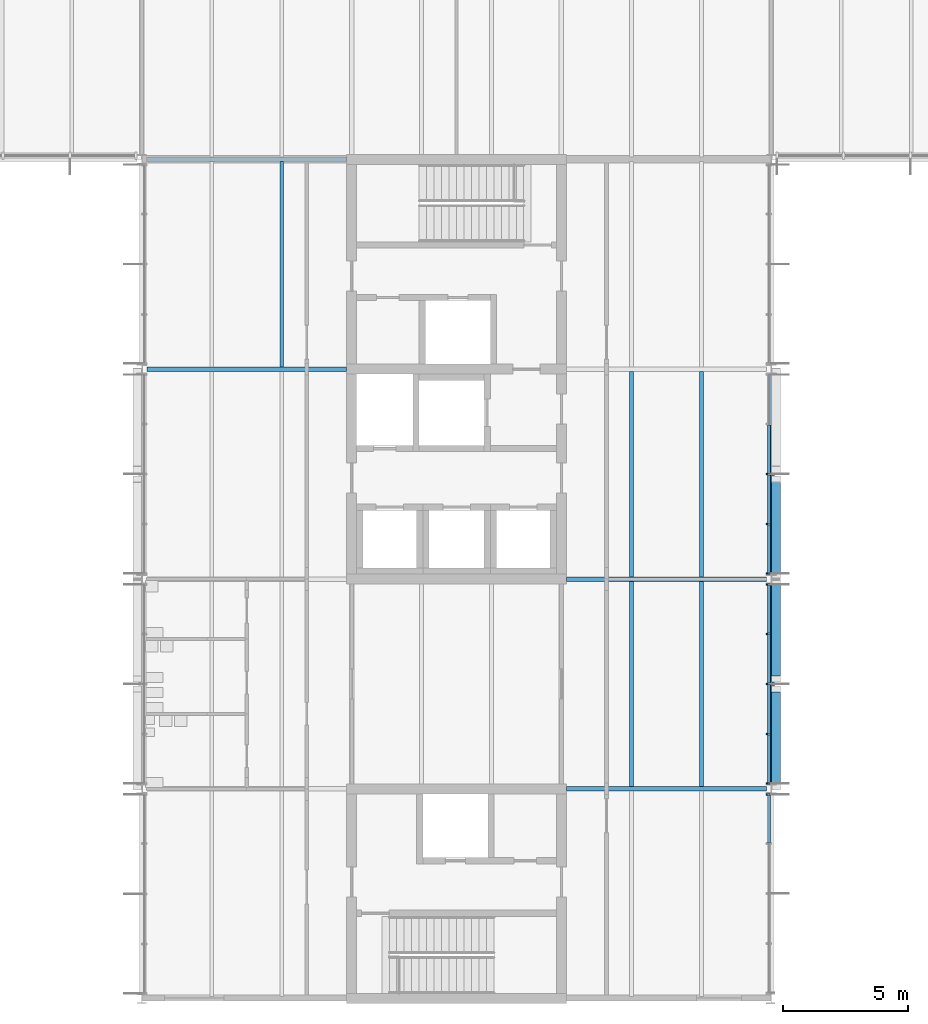
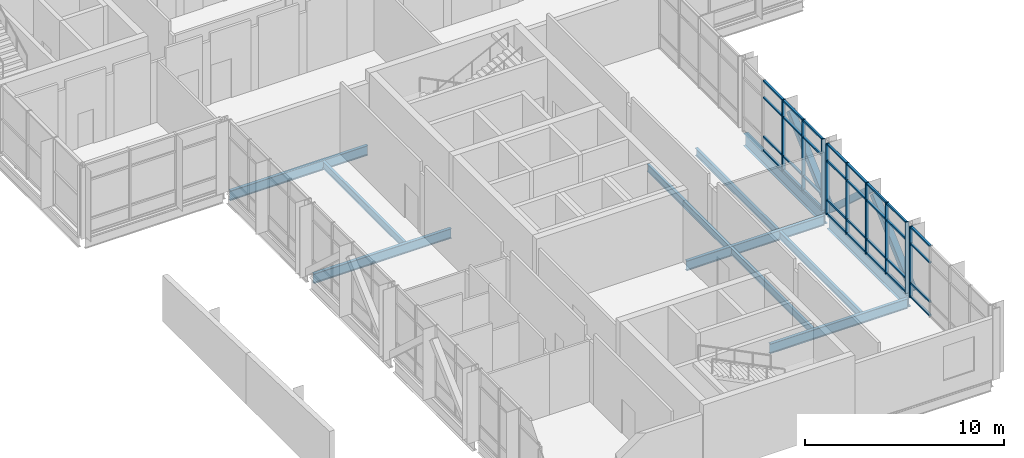
# One storey, part 22 of 72: 44 members, 11 beams, 3 elements without a shape of their own.
"""IFC4 building model written with IfcOpenShell, lengths in metres."""

from ifc_helpers import new_model, si_unit, direction, frame, origin, origin_2d, place, context, subcontext, project, spatial, rectangle, hollow_rectangle, i_section, extrude, material, material_profile, profile_set, type_object, element, aggregate, save


model = new_model("IFC4")

# Units and contexts
model_context = context("Model", 3, precision=1e-05, world=origin(), true_north=direction((0.0, 1.0)))
body_context = subcontext(model_context, "Body", "Model", "MODEL_VIEW")
ifc_project = project(units=[si_unit("LENGTHUNIT", "METRE"), si_unit("AREAUNIT", "SQUARE_METRE"), si_unit("VOLUMEUNIT", "CUBIC_METRE"), si_unit("PLANEANGLEUNIT", "RADIAN"), si_unit("MASSUNIT", "GRAM", prefix="KILO")], contexts=[model_context])

# Site, building, storey
site_placement = place(None, origin())
site = spatial("IfcSite", under=ifc_project, at=site_placement, CompositionType="ELEMENT")
building_placement = place(site_placement, origin())
building = spatial("IfcBuilding", under=site, at=building_placement, Name="Hlaing Beacon Police Headquarters", CompositionType="ELEMENT")
storey_placement = place(building_placement, frame((0.0, 0.0, 14.39990234375)))
storey = spatial("IfcBuildingStorey", under=building, at=storey_placement, Name="L03", CompositionType="ELEMENT", Elevation=14.39990234375)

# Members
ifc_material_1 = material(Name="Steel ASTM A500 Grade C", Category="steel")
ifc_material_profile_1 = material_profile(ifc_material_1, hollow_rectangle(XDim=0.355712890625, YDim=0.355712890625, WallThickness=0.015869140625, at=origin_2d()), Name="HSS14x14x5/8")
ifc_profile_set_1 = profile_set([ifc_material_profile_1], Name="Steel ASTM A500 Grade C")
member_type_1 = type_object("IfcMemberType", Name="Chevron brace HSS14x14x5/8", PredefinedType="BRACE", material=ifc_profile_set_1)
for number, where, z_axis, x_axis, name in (
    (1, (126.181884765625, 42.075927734375, 0.131103515625), (0.0, 0.738196081361, 0.674586203137), (-1.0, 0.0, 0.0), "STR-BR-L03-R6a"),
    (2, (126.181884765625, 50.323974609375, 0.131103515625), (0.0, -0.738196081361, 0.674586203137), (1.0, 0.0, 0.0), "STR-BR-L03-R6b"),
    (3, (126.181884765625, 50.47607421875, 0.131103515625), (0.0, 0.738175180134, 0.674609074527), (-1.0, 0.0, 0.0), "STR-BR-L03-R7a"),
):
    element("IfcMember", number, at=place(storey_placement, frame(where, z_axis=z_axis, x_axis=x_axis)), inside=storey, type_object=member_type_1, Name=name, PredefinedType="BRACE", context=body_context, shape_type="SweptSolid", body=[
        extrude(hollow_rectangle(XDim=0.355712890625, YDim=0.355712890625, WallThickness=0.015869140625, at=origin_2d()), origin(), (0.0, 0.0, 1.0), 5.315673828125),
    ])

# Beams
ifc_material_2 = material(Name="Steel ASTM A992 Grade 50", Category="steel")
ifc_material_profile_2 = material_profile(ifc_material_2, i_section(OverallWidth=0.177978515625, OverallDepth=0.599365234375, WebThickness=0.010009765625, FlangeThickness=0.012939453125, FilletRadius=0.012939453125, at=origin_2d()), Name="W24x55")
ifc_profile_set_2 = profile_set([ifc_material_profile_2], Name="Steel ASTM A992 Grade 50")
beam_type_1 = type_object("IfcBeamType", Name="Girder W24x55", PredefinedType="BEAM", material=ifc_profile_set_2)
for number, where, z_axis, x_axis, name in (
    (4, (117.800048828125, 42.0, -0.4296875), (1.0, 0.0, 0.0), (0.0, 1.0, 0.0), "STR-BM-L03-GX-Q6-R6"),
    (5, (117.800048828125, 50.39990234375, -0.4296875), (1.0, 0.0, 0.0), (0.0, 1.0, 0.0), "STR-BM-L03-GX-Q7-R7"),
    (6, (100.9990234375, 58.800048828125, -0.4296875), (1.0, 0.0, 0.0), (0.0, 1.0, 0.0), "STR-BM-L03-GX-N8-P8"),
):
    element("IfcBeam", number, at=place(storey_placement, frame(where, z_axis=z_axis, x_axis=x_axis)), inside=storey, type_object=beam_type_1, Name=name, PredefinedType="BEAM", context=body_context, shape_type="SweptSolid", body=[
        extrude(i_section(OverallWidth=0.177978515625, OverallDepth=0.599365234375, WebThickness=0.010009765625, FlangeThickness=0.012939453125, FilletRadius=0.012939453125, at=origin_2d()), origin(), (0.0, 0.0, 1.0), 8.0009765625),
    ])
beam_1_placement = place(storey_placement, frame((100.9970703125, 67.199951171875, -0.4296875), z_axis=(1.0, 0.0, 0.0), x_axis=(0.0, 1.0, 0.0)))
element("IfcBeam", 7, at=beam_1_placement, inside=storey, type_object=beam_type_1, Name="STR-BM-L03-GX-N9-P9", PredefinedType="BEAM", context=body_context, shape_type="SweptSolid", body=[
    extrude(i_section(OverallWidth=0.177978515625, OverallDepth=0.599365234375, WebThickness=0.010009765625, FlangeThickness=0.012939453125, FilletRadius=0.012939453125, at=origin_2d()), origin(), (0.0, 0.0, 1.0), 8.0029296875),
])
ifc_material_3 = material(Name="Steel ASTM A992 Grade 50", Category="steel")
ifc_material_profile_3 = material_profile(ifc_material_3, i_section(OverallWidth=0.2666015625, OverallDepth=0.761962890625, WebThickness=0.014404296875, FlangeThickness=0.021484375, FilletRadius=0.0166015625, at=origin_2d()), Name="W30x116")
ifc_profile_set_3 = profile_set([ifc_material_profile_3], Name="Steel ASTM A992 Grade 50")
beam_type_2 = type_object("IfcBeamType", Name="Girder W30x116", PredefinedType="BEAM", material=ifc_profile_set_3)
for number, where, z_axis, x_axis, name in (
    (8, (126.0, 42.193115234375, -0.510986328125), (0.0, 1.0, 0.0), (-1.0, 0.0, 0.0), "STR-BM-L03-GY-R6-R7"),
    (9, (126.0, 50.593017578125, -0.510986328125), (0.0, 1.0, 0.0), (-1.0, 0.0, 0.0), "STR-BM-L03-GY-R7-R8"),
):
    element("IfcBeam", number, at=place(storey_placement, frame(where, z_axis=z_axis, x_axis=x_axis)), inside=storey, type_object=beam_type_2, Name=name, PredefinedType="BEAM", context=body_context, shape_type="SweptSolid", body=[
        extrude(i_section(OverallWidth=0.2666015625, OverallDepth=0.761962890625, WebThickness=0.014404296875, FlangeThickness=0.021484375, FilletRadius=0.0166015625, at=origin_2d()), origin(), (0.0, 0.0, 1.0), 8.013916015625),
    ])

# Curtain wall, member
ifc_material_4 = material(Name="Aluminium frame with solar control glazing", Category="aluminium")
curtain_wall_type_1 = type_object("IfcCurtainWallType", Name="Unitised curtain wall 8.00 x 4.37", PredefinedType="NOTDEFINED", material=ifc_material_4)
curtain_wall_1_placement = place(storey_placement, origin())
curtain_wall_1 = element("IfcCurtainWall", 10, at=curtain_wall_1_placement, inside=storey, type_object=curtain_wall_type_1, Name="ENV-CW-L03-E021", PredefinedType="NOTDEFINED")
ifc_material_5 = material(Name="Aluminium", Category="aluminium")
ifc_material_profile_4 = material_profile(ifc_material_5, rectangle(XDim=0.199951171875, YDim=0.06005859375, at=origin_2d()), Name="Mullion 60x200")
ifc_profile_set_4 = profile_set([ifc_material_profile_4], Name="Aluminium")
member_type_2 = type_object("IfcMemberType", Name="Mullion 60x200", PredefinedType="MULLION", material=ifc_profile_set_4)
member_1_placement = place(storey_placement, frame((125.89990234375, 41.779541015625, 0.0), z_axis=(0.0, 0.0, 1.0), x_axis=(-1.0, 0.0, 0.0)))
member_1 = element("IfcMember", 11, at=member_1_placement, type_object=member_type_2, Name="CW-L03-E021 mullion 5", PredefinedType="MULLION", context=body_context, shape_type="SweptSolid", body=[
    extrude(rectangle(XDim=0.199951171875, YDim=0.06005859375, at=origin_2d()), origin(), (0.0, 0.0, 1.0), 4.3701171875),
])

# Curtain wall, members
ifc_material_6 = material(Name="Aluminium frame with solar control glazing", Category="aluminium")
curtain_wall_type_2 = type_object("IfcCurtainWallType", Name="Unitised curtain wall 8.02 x 4.37", PredefinedType="NOTDEFINED", material=ifc_material_6)
curtain_wall_2_placement = place(storey_placement, origin())
curtain_wall_2 = element("IfcCurtainWall", 12, at=curtain_wall_2_placement, inside=storey, type_object=curtain_wall_type_2, Name="ENV-CW-L03-E022", PredefinedType="NOTDEFINED")
member_2_placement = place(storey_placement, frame((125.89990234375, 42.220458984375, 0.0), z_axis=(0.0, 0.0, 1.0), x_axis=(-1.0, 0.0, 0.0)))
member_2 = element("IfcMember", 13, at=member_2_placement, type_object=member_type_2, Name="CW-L03-E022 mullion 1", PredefinedType="MULLION", context=body_context, shape_type="SweptSolid", body=[
    extrude(rectangle(XDim=0.199951171875, YDim=0.06005859375, at=origin_2d()), origin(), (0.0, 0.0, 1.0), 4.3701171875),
])
member_3_placement = place(storey_placement, frame((125.89990234375, 44.1953125, 0.0), z_axis=(0.0, 0.0, 1.0), x_axis=(-1.0, 0.0, 0.0)))
member_3 = element("IfcMember", 14, at=member_3_placement, type_object=member_type_2, Name="CW-L03-E022 mullion 2", PredefinedType="MULLION", context=body_context, shape_type="SweptSolid", body=[
    extrude(rectangle(XDim=0.199951171875, YDim=0.06005859375, at=origin_2d()), origin(), (0.0, 0.0, 1.0), 4.3701171875),
])
member_4_placement = place(storey_placement, frame((125.89990234375, 46.199951171875, 0.0), z_axis=(0.0, 0.0, 1.0), x_axis=(-1.0, 0.0, 0.0)))
member_4 = element("IfcMember", 15, at=member_4_placement, type_object=member_type_2, Name="CW-L03-E022 mullion 3", PredefinedType="MULLION", context=body_context, shape_type="SweptSolid", body=[
    extrude(rectangle(XDim=0.199951171875, YDim=0.06005859375, at=origin_2d()), origin(), (0.0, 0.0, 1.0), 4.3701171875),
])
member_5_placement = place(storey_placement, frame((125.89990234375, 48.204833984375, 0.0), z_axis=(0.0, 0.0, 1.0), x_axis=(-1.0, 0.0, 0.0)))
member_5 = element("IfcMember", 16, at=member_5_placement, type_object=member_type_2, Name="CW-L03-E022 mullion 4", PredefinedType="MULLION", context=body_context, shape_type="SweptSolid", body=[
    extrude(rectangle(XDim=0.199951171875, YDim=0.06005859375, at=origin_2d()), origin(), (0.0, 0.0, 1.0), 4.3701171875),
])
member_6_placement = place(storey_placement, frame((125.89990234375, 50.179443359375, 0.0), z_axis=(0.0, 0.0, 1.0), x_axis=(-1.0, 0.0, 0.0)))
member_6 = element("IfcMember", 17, at=member_6_placement, type_object=member_type_2, Name="CW-L03-E022 mullion 5", PredefinedType="MULLION", context=body_context, shape_type="SweptSolid", body=[
    extrude(rectangle(XDim=0.199951171875, YDim=0.06005859375, at=origin_2d()), origin(), (0.0, 0.0, 1.0), 4.3701171875),
])

curtain_wall_3_placement = place(storey_placement, origin())
curtain_wall_3 = element("IfcCurtainWall", 18, at=curtain_wall_3_placement, inside=storey, type_object=curtain_wall_type_2, Name="ENV-CW-L03-E023", PredefinedType="NOTDEFINED")
member_7_placement = place(storey_placement, frame((125.89990234375, 50.62060546875, 0.0), z_axis=(0.0, 0.0, 1.0), x_axis=(-1.0, 0.0, 0.0)))
member_7 = element("IfcMember", 19, at=member_7_placement, type_object=member_type_2, Name="CW-L03-E023 mullion 1", PredefinedType="MULLION", context=body_context, shape_type="SweptSolid", body=[
    extrude(rectangle(XDim=0.199951171875, YDim=0.06005859375, at=origin_2d()), origin(), (0.0, 0.0, 1.0), 4.3701171875),
])
member_8_placement = place(storey_placement, frame((125.89990234375, 52.59521484375, 0.0), z_axis=(0.0, 0.0, 1.0), x_axis=(-1.0, 0.0, 0.0)))
member_8 = element("IfcMember", 20, at=member_8_placement, type_object=member_type_2, Name="CW-L03-E023 mullion 2", PredefinedType="MULLION", context=body_context, shape_type="SweptSolid", body=[
    extrude(rectangle(XDim=0.199951171875, YDim=0.06005859375, at=origin_2d()), origin(), (0.0, 0.0, 1.0), 4.3701171875),
])
member_9_placement = place(storey_placement, frame((125.89990234375, 54.60009765625, 0.0), z_axis=(0.0, 0.0, 1.0), x_axis=(-1.0, 0.0, 0.0)))
member_9 = element("IfcMember", 21, at=member_9_placement, type_object=member_type_2, Name="CW-L03-E023 mullion 3", PredefinedType="MULLION", context=body_context, shape_type="SweptSolid", body=[
    extrude(rectangle(XDim=0.199951171875, YDim=0.06005859375, at=origin_2d()), origin(), (0.0, 0.0, 1.0), 4.3701171875),
])

# Beams
ifc_material_7 = material(Name="Steel ASTM A992 Grade 50", Category="steel")
ifc_material_profile_5 = material_profile(ifc_material_7, i_section(OverallWidth=0.15234375, OverallDepth=0.449462890625, WebThickness=0.007568359375, FlangeThickness=0.0107421875, FilletRadius=0.01025390625, at=origin_2d()), Name="W18x35")
ifc_profile_set_5 = profile_set([ifc_material_profile_5], Name="Steel ASTM A992 Grade 50")
beam_type_3 = type_object("IfcBeamType", Name="Secondary beam W18x35", PredefinedType="BEAM", material=ifc_profile_set_5)
beam_2_placement = place(storey_placement, frame((106.39990234375, 58.888916015625, -0.354736328125), z_axis=(0.0, 1.0, 0.0), x_axis=(-1.0, 0.0, 0.0)))
element("IfcBeam", 22, at=beam_2_placement, inside=storey, type_object=beam_type_3, Name="STR-BM-L03-SB-N8-y2", PredefinedType="BEAM", context=body_context, shape_type="SweptSolid", body=[
    extrude(i_section(OverallWidth=0.15234375, OverallDepth=0.449462890625, WebThickness=0.007568359375, FlangeThickness=0.0107421875, FilletRadius=0.01025390625, at=origin_2d()), origin(), (0.0, 0.0, 1.0), 8.22216796875),
])
for number, where, z_axis, x_axis, name in (
    (23, (120.39990234375, 42.089111328125, -0.354736328125), (0.0, 1.0, 0.0), (-1.0, 0.0, 0.0), "STR-BM-L03-SB-Q6-y1"),
    (24, (123.199951171875, 42.089111328125, -0.354736328125), (0.0, 1.0, 0.0), (-1.0, 0.0, 0.0), "STR-BM-L03-SB-Q6-y2"),
    (25, (120.39990234375, 50.489013671875, -0.354736328125), (0.0, 1.0, 0.0), (-1.0, 0.0, 0.0), "STR-BM-L03-SB-Q7-y1"),
    (26, (123.199951171875, 50.489013671875, -0.354736328125), (0.0, 1.0, 0.0), (-1.0, 0.0, 0.0), "STR-BM-L03-SB-Q7-y2"),
):
    element("IfcBeam", number, at=place(storey_placement, frame(where, z_axis=z_axis, x_axis=x_axis)), inside=storey, type_object=beam_type_3, Name=name, PredefinedType="BEAM", context=body_context, shape_type="SweptSolid", body=[
        extrude(i_section(OverallWidth=0.15234375, OverallDepth=0.449462890625, WebThickness=0.007568359375, FlangeThickness=0.0107421875, FilletRadius=0.01025390625, at=origin_2d()), origin(), (0.0, 0.0, 1.0), 8.221923828125),
    ])

# Member
ifc_material_8 = material(Name="Aluminium", Category="aluminium")
ifc_material_profile_6 = material_profile(ifc_material_8, rectangle(XDim=0.1201171875, YDim=0.10009765625, at=origin_2d()), Name="Transom 120x100")
ifc_profile_set_6 = profile_set([ifc_material_profile_6], Name="Aluminium")
member_type_3 = type_object("IfcMemberType", Name="Transom 120x100", PredefinedType="USERDEFINED", material=ifc_profile_set_6)
member_10_placement = place(storey_placement, frame((125.89990234375, 39.839111328125, 0.050048828125), z_axis=(0.0, 1.0, 0.0), x_axis=(-1.0, 0.0, 0.0)))
member_10 = element("IfcMember", 27, at=member_10_placement, type_object=member_type_3, Name="CW-L03-E021 transom 4.1", ObjectType="TRANSOM", PredefinedType="USERDEFINED", context=body_context, shape_type="SweptSolid", body=[
    extrude(rectangle(XDim=0.1201171875, YDim=0.10009765625, at=origin_2d()), origin(), (0.0, 0.0, 1.0), 1.910400390625),
])

member_11_placement = place(storey_placement, frame((125.89990234375, 39.839111328125, 0.900146484375), z_axis=(0.0, 1.0, 0.0), x_axis=(-1.0, 0.0, 0.0)))
member_11 = element("IfcMember", 28, at=member_11_placement, type_object=member_type_3, Name="CW-L03-E021 transom 4.2", ObjectType="TRANSOM", PredefinedType="USERDEFINED", context=body_context, shape_type="SweptSolid", body=[
    extrude(rectangle(XDim=0.1201171875, YDim=0.10009765625, at=origin_2d()), origin(), (0.0, 0.0, 1.0), 1.910400390625),
])

member_12_placement = place(storey_placement, frame((125.89990234375, 39.839111328125, 3.300048828125), z_axis=(0.0, 1.0, 0.0), x_axis=(-1.0, 0.0, 0.0)))
member_12 = element("IfcMember", 29, at=member_12_placement, type_object=member_type_3, Name="CW-L03-E021 transom 4.3", ObjectType="TRANSOM", PredefinedType="USERDEFINED", context=body_context, shape_type="SweptSolid", body=[
    extrude(rectangle(XDim=0.1201171875, YDim=0.10009765625, at=origin_2d()), origin(), (0.0, 0.0, 1.0), 1.910400390625),
])

member_13_placement = place(storey_placement, frame((125.89990234375, 39.839111328125, 4.320068359375), z_axis=(0.0, 1.0, 0.0), x_axis=(-1.0, 0.0, 0.0)))
member_13 = element("IfcMember", 30, at=member_13_placement, type_object=member_type_3, Name="CW-L03-E021 transom 4.4", ObjectType="TRANSOM", PredefinedType="USERDEFINED", context=body_context, shape_type="SweptSolid", body=[
    extrude(rectangle(XDim=0.1201171875, YDim=0.10009765625, at=origin_2d()), origin(), (0.0, 0.0, 1.0), 1.910400390625),
])

aggregate(curtain_wall_1, [member_1, member_10, member_11, member_12, member_13])

member_14_placement = place(storey_placement, frame((125.89990234375, 42.25048828125, 0.050048828125), z_axis=(0.0, 1.0, 0.0), x_axis=(-1.0, 0.0, 0.0)))
member_14 = element("IfcMember", 31, at=member_14_placement, type_object=member_type_3, Name="CW-L03-E022 transom 1.1", ObjectType="TRANSOM", PredefinedType="USERDEFINED", context=body_context, shape_type="SweptSolid", body=[
    extrude(rectangle(XDim=0.1201171875, YDim=0.10009765625, at=origin_2d()), origin(), (0.0, 0.0, 1.0), 1.914794921875),
])

member_15_placement = place(storey_placement, frame((125.89990234375, 42.25048828125, 0.900146484375), z_axis=(0.0, 1.0, 0.0), x_axis=(-1.0, 0.0, 0.0)))
member_15 = element("IfcMember", 32, at=member_15_placement, type_object=member_type_3, Name="CW-L03-E022 transom 1.2", ObjectType="TRANSOM", PredefinedType="USERDEFINED", context=body_context, shape_type="SweptSolid", body=[
    extrude(rectangle(XDim=0.1201171875, YDim=0.10009765625, at=origin_2d()), origin(), (0.0, 0.0, 1.0), 1.914794921875),
])

member_16_placement = place(storey_placement, frame((125.89990234375, 42.25048828125, 3.300048828125), z_axis=(0.0, 1.0, 0.0), x_axis=(-1.0, 0.0, 0.0)))
member_16 = element("IfcMember", 33, at=member_16_placement, type_object=member_type_3, Name="CW-L03-E022 transom 1.3", ObjectType="TRANSOM", PredefinedType="USERDEFINED", context=body_context, shape_type="SweptSolid", body=[
    extrude(rectangle(XDim=0.1201171875, YDim=0.10009765625, at=origin_2d()), origin(), (0.0, 0.0, 1.0), 1.914794921875),
])

member_17_placement = place(storey_placement, frame((125.89990234375, 42.25048828125, 4.320068359375), z_axis=(0.0, 1.0, 0.0), x_axis=(-1.0, 0.0, 0.0)))
member_17 = element("IfcMember", 34, at=member_17_placement, type_object=member_type_3, Name="CW-L03-E022 transom 1.4", ObjectType="TRANSOM", PredefinedType="USERDEFINED", context=body_context, shape_type="SweptSolid", body=[
    extrude(rectangle(XDim=0.1201171875, YDim=0.10009765625, at=origin_2d()), origin(), (0.0, 0.0, 1.0), 1.914794921875),
])

member_18_placement = place(storey_placement, frame((125.89990234375, 44.225341796875, 0.050048828125), z_axis=(0.0, 1.0, 0.0), x_axis=(-1.0, 0.0, 0.0)))
member_18 = element("IfcMember", 35, at=member_18_placement, type_object=member_type_3, Name="CW-L03-E022 transom 2.1", ObjectType="TRANSOM", PredefinedType="USERDEFINED", context=body_context, shape_type="SweptSolid", body=[
    extrude(rectangle(XDim=0.1201171875, YDim=0.10009765625, at=origin_2d()), origin(), (0.0, 0.0, 1.0), 1.944580078125),
])

member_19_placement = place(storey_placement, frame((125.89990234375, 44.225341796875, 0.900146484375), z_axis=(0.0, 1.0, 0.0), x_axis=(-1.0, 0.0, 0.0)))
member_19 = element("IfcMember", 36, at=member_19_placement, type_object=member_type_3, Name="CW-L03-E022 transom 2.2", ObjectType="TRANSOM", PredefinedType="USERDEFINED", context=body_context, shape_type="SweptSolid", body=[
    extrude(rectangle(XDim=0.1201171875, YDim=0.10009765625, at=origin_2d()), origin(), (0.0, 0.0, 1.0), 1.944580078125),
])

member_20_placement = place(storey_placement, frame((125.89990234375, 44.225341796875, 3.300048828125), z_axis=(0.0, 1.0, 0.0), x_axis=(-1.0, 0.0, 0.0)))
member_20 = element("IfcMember", 37, at=member_20_placement, type_object=member_type_3, Name="CW-L03-E022 transom 2.3", ObjectType="TRANSOM", PredefinedType="USERDEFINED", context=body_context, shape_type="SweptSolid", body=[
    extrude(rectangle(XDim=0.1201171875, YDim=0.10009765625, at=origin_2d()), origin(), (0.0, 0.0, 1.0), 1.944580078125),
])

member_21_placement = place(storey_placement, frame((125.89990234375, 44.225341796875, 4.320068359375), z_axis=(0.0, 1.0, 0.0), x_axis=(-1.0, 0.0, 0.0)))
member_21 = element("IfcMember", 38, at=member_21_placement, type_object=member_type_3, Name="CW-L03-E022 transom 2.4", ObjectType="TRANSOM", PredefinedType="USERDEFINED", context=body_context, shape_type="SweptSolid", body=[
    extrude(rectangle(XDim=0.1201171875, YDim=0.10009765625, at=origin_2d()), origin(), (0.0, 0.0, 1.0), 1.944580078125),
])

member_22_placement = place(storey_placement, frame((125.89990234375, 46.22998046875, 0.050048828125), z_axis=(0.0, 1.0, 0.0), x_axis=(-1.0, 0.0, 0.0)))
member_22 = element("IfcMember", 39, at=member_22_placement, type_object=member_type_3, Name="CW-L03-E022 transom 3.1", ObjectType="TRANSOM", PredefinedType="USERDEFINED", context=body_context, shape_type="SweptSolid", body=[
    extrude(rectangle(XDim=0.1201171875, YDim=0.10009765625, at=origin_2d()), origin(), (0.0, 0.0, 1.0), 1.94482421875),
])

member_23_placement = place(storey_placement, frame((125.89990234375, 46.22998046875, 0.900146484375), z_axis=(0.0, 1.0, 0.0), x_axis=(-1.0, 0.0, 0.0)))
member_23 = element("IfcMember", 40, at=member_23_placement, type_object=member_type_3, Name="CW-L03-E022 transom 3.2", ObjectType="TRANSOM", PredefinedType="USERDEFINED", context=body_context, shape_type="SweptSolid", body=[
    extrude(rectangle(XDim=0.1201171875, YDim=0.10009765625, at=origin_2d()), origin(), (0.0, 0.0, 1.0), 1.94482421875),
])

member_24_placement = place(storey_placement, frame((125.89990234375, 46.22998046875, 3.300048828125), z_axis=(0.0, 1.0, 0.0), x_axis=(-1.0, 0.0, 0.0)))
member_24 = element("IfcMember", 41, at=member_24_placement, type_object=member_type_3, Name="CW-L03-E022 transom 3.3", ObjectType="TRANSOM", PredefinedType="USERDEFINED", context=body_context, shape_type="SweptSolid", body=[
    extrude(rectangle(XDim=0.1201171875, YDim=0.10009765625, at=origin_2d()), origin(), (0.0, 0.0, 1.0), 1.94482421875),
])

member_25_placement = place(storey_placement, frame((125.89990234375, 46.22998046875, 4.320068359375), z_axis=(0.0, 1.0, 0.0), x_axis=(-1.0, 0.0, 0.0)))
member_25 = element("IfcMember", 42, at=member_25_placement, type_object=member_type_3, Name="CW-L03-E022 transom 3.4", ObjectType="TRANSOM", PredefinedType="USERDEFINED", context=body_context, shape_type="SweptSolid", body=[
    extrude(rectangle(XDim=0.1201171875, YDim=0.10009765625, at=origin_2d()), origin(), (0.0, 0.0, 1.0), 1.94482421875),
])

member_26_placement = place(storey_placement, frame((125.89990234375, 48.23486328125, 0.050048828125), z_axis=(0.0, 1.0, 0.0), x_axis=(-1.0, 0.0, 0.0)))
member_26 = element("IfcMember", 43, at=member_26_placement, type_object=member_type_3, Name="CW-L03-E022 transom 4.1", ObjectType="TRANSOM", PredefinedType="USERDEFINED", context=body_context, shape_type="SweptSolid", body=[
    extrude(rectangle(XDim=0.1201171875, YDim=0.10009765625, at=origin_2d()), origin(), (0.0, 0.0, 1.0), 1.91455078125),
])

member_27_placement = place(storey_placement, frame((125.89990234375, 48.23486328125, 0.900146484375), z_axis=(0.0, 1.0, 0.0), x_axis=(-1.0, 0.0, 0.0)))
member_27 = element("IfcMember", 44, at=member_27_placement, type_object=member_type_3, Name="CW-L03-E022 transom 4.2", ObjectType="TRANSOM", PredefinedType="USERDEFINED", context=body_context, shape_type="SweptSolid", body=[
    extrude(rectangle(XDim=0.1201171875, YDim=0.10009765625, at=origin_2d()), origin(), (0.0, 0.0, 1.0), 1.91455078125),
])

member_28_placement = place(storey_placement, frame((125.89990234375, 48.23486328125, 3.300048828125), z_axis=(0.0, 1.0, 0.0), x_axis=(-1.0, 0.0, 0.0)))
member_28 = element("IfcMember", 45, at=member_28_placement, type_object=member_type_3, Name="CW-L03-E022 transom 4.3", ObjectType="TRANSOM", PredefinedType="USERDEFINED", context=body_context, shape_type="SweptSolid", body=[
    extrude(rectangle(XDim=0.1201171875, YDim=0.10009765625, at=origin_2d()), origin(), (0.0, 0.0, 1.0), 1.91455078125),
])

member_29_placement = place(storey_placement, frame((125.89990234375, 48.23486328125, 4.320068359375), z_axis=(0.0, 1.0, 0.0), x_axis=(-1.0, 0.0, 0.0)))
member_29 = element("IfcMember", 46, at=member_29_placement, type_object=member_type_3, Name="CW-L03-E022 transom 4.4", ObjectType="TRANSOM", PredefinedType="USERDEFINED", context=body_context, shape_type="SweptSolid", body=[
    extrude(rectangle(XDim=0.1201171875, YDim=0.10009765625, at=origin_2d()), origin(), (0.0, 0.0, 1.0), 1.91455078125),
])

aggregate(curtain_wall_2, [member_2, member_3, member_4, member_5, member_6, member_14, member_15, member_16, member_17, member_18, member_19, member_20, member_21, member_22, member_23, member_24, member_25, member_26, member_27, member_28, member_29])

member_30_placement = place(storey_placement, frame((125.89990234375, 50.650390625, 0.050048828125), z_axis=(0.0, 1.0, 0.0), x_axis=(-1.0, 0.0, 0.0)))
member_30 = element("IfcMember", 47, at=member_30_placement, type_object=member_type_3, Name="CW-L03-E023 transom 1.1", ObjectType="TRANSOM", PredefinedType="USERDEFINED", context=body_context, shape_type="SweptSolid", body=[
    extrude(rectangle(XDim=0.1201171875, YDim=0.10009765625, at=origin_2d()), origin(), (0.0, 0.0, 1.0), 1.914794921875),
])

member_31_placement = place(storey_placement, frame((125.89990234375, 50.650390625, 0.900146484375), z_axis=(0.0, 1.0, 0.0), x_axis=(-1.0, 0.0, 0.0)))
member_31 = element("IfcMember", 48, at=member_31_placement, type_object=member_type_3, Name="CW-L03-E023 transom 1.2", ObjectType="TRANSOM", PredefinedType="USERDEFINED", context=body_context, shape_type="SweptSolid", body=[
    extrude(rectangle(XDim=0.1201171875, YDim=0.10009765625, at=origin_2d()), origin(), (0.0, 0.0, 1.0), 1.914794921875),
])

member_32_placement = place(storey_placement, frame((125.89990234375, 50.650390625, 3.300048828125), z_axis=(0.0, 1.0, 0.0), x_axis=(-1.0, 0.0, 0.0)))
member_32 = element("IfcMember", 49, at=member_32_placement, type_object=member_type_3, Name="CW-L03-E023 transom 1.3", ObjectType="TRANSOM", PredefinedType="USERDEFINED", context=body_context, shape_type="SweptSolid", body=[
    extrude(rectangle(XDim=0.1201171875, YDim=0.10009765625, at=origin_2d()), origin(), (0.0, 0.0, 1.0), 1.914794921875),
])

member_33_placement = place(storey_placement, frame((125.89990234375, 50.650390625, 4.320068359375), z_axis=(0.0, 1.0, 0.0), x_axis=(-1.0, 0.0, 0.0)))
member_33 = element("IfcMember", 50, at=member_33_placement, type_object=member_type_3, Name="CW-L03-E023 transom 1.4", ObjectType="TRANSOM", PredefinedType="USERDEFINED", context=body_context, shape_type="SweptSolid", body=[
    extrude(rectangle(XDim=0.1201171875, YDim=0.10009765625, at=origin_2d()), origin(), (0.0, 0.0, 1.0), 1.914794921875),
])

member_34_placement = place(storey_placement, frame((125.89990234375, 52.625244140625, 0.050048828125), z_axis=(0.0, 1.0, 0.0), x_axis=(-1.0, 0.0, 0.0)))
member_34 = element("IfcMember", 51, at=member_34_placement, type_object=member_type_3, Name="CW-L03-E023 transom 2.1", ObjectType="TRANSOM", PredefinedType="USERDEFINED", context=body_context, shape_type="SweptSolid", body=[
    extrude(rectangle(XDim=0.1201171875, YDim=0.10009765625, at=origin_2d()), origin(), (0.0, 0.0, 1.0), 1.94482421875),
])

member_35_placement = place(storey_placement, frame((125.89990234375, 52.625244140625, 0.900146484375), z_axis=(0.0, 1.0, 0.0), x_axis=(-1.0, 0.0, 0.0)))
member_35 = element("IfcMember", 52, at=member_35_placement, type_object=member_type_3, Name="CW-L03-E023 transom 2.2", ObjectType="TRANSOM", PredefinedType="USERDEFINED", context=body_context, shape_type="SweptSolid", body=[
    extrude(rectangle(XDim=0.1201171875, YDim=0.10009765625, at=origin_2d()), origin(), (0.0, 0.0, 1.0), 1.94482421875),
])

member_36_placement = place(storey_placement, frame((125.89990234375, 52.625244140625, 3.300048828125), z_axis=(0.0, 1.0, 0.0), x_axis=(-1.0, 0.0, 0.0)))
member_36 = element("IfcMember", 53, at=member_36_placement, type_object=member_type_3, Name="CW-L03-E023 transom 2.3", ObjectType="TRANSOM", PredefinedType="USERDEFINED", context=body_context, shape_type="SweptSolid", body=[
    extrude(rectangle(XDim=0.1201171875, YDim=0.10009765625, at=origin_2d()), origin(), (0.0, 0.0, 1.0), 1.94482421875),
])

member_37_placement = place(storey_placement, frame((125.89990234375, 52.625244140625, 4.320068359375), z_axis=(0.0, 1.0, 0.0), x_axis=(-1.0, 0.0, 0.0)))
member_37 = element("IfcMember", 54, at=member_37_placement, type_object=member_type_3, Name="CW-L03-E023 transom 2.4", ObjectType="TRANSOM", PredefinedType="USERDEFINED", context=body_context, shape_type="SweptSolid", body=[
    extrude(rectangle(XDim=0.1201171875, YDim=0.10009765625, at=origin_2d()), origin(), (0.0, 0.0, 1.0), 1.94482421875),
])

member_38_placement = place(storey_placement, frame((125.89990234375, 54.6298828125, 0.050048828125), z_axis=(0.0, 1.0, 0.0), x_axis=(-1.0, 0.0, 0.0)))
member_38 = element("IfcMember", 55, at=member_38_placement, type_object=member_type_3, Name="CW-L03-E023 transom 3.1", ObjectType="TRANSOM", PredefinedType="USERDEFINED", context=body_context, shape_type="SweptSolid", body=[
    extrude(rectangle(XDim=0.1201171875, YDim=0.10009765625, at=origin_2d()), origin(), (0.0, 0.0, 1.0), 1.94482421875),
])

member_39_placement = place(storey_placement, frame((125.89990234375, 54.6298828125, 0.900146484375), z_axis=(0.0, 1.0, 0.0), x_axis=(-1.0, 0.0, 0.0)))
member_39 = element("IfcMember", 56, at=member_39_placement, type_object=member_type_3, Name="CW-L03-E023 transom 3.2", ObjectType="TRANSOM", PredefinedType="USERDEFINED", context=body_context, shape_type="SweptSolid", body=[
    extrude(rectangle(XDim=0.1201171875, YDim=0.10009765625, at=origin_2d()), origin(), (0.0, 0.0, 1.0), 1.94482421875),
])

member_40_placement = place(storey_placement, frame((125.89990234375, 54.6298828125, 3.300048828125), z_axis=(0.0, 1.0, 0.0), x_axis=(-1.0, 0.0, 0.0)))
member_40 = element("IfcMember", 57, at=member_40_placement, type_object=member_type_3, Name="CW-L03-E023 transom 3.3", ObjectType="TRANSOM", PredefinedType="USERDEFINED", context=body_context, shape_type="SweptSolid", body=[
    extrude(rectangle(XDim=0.1201171875, YDim=0.10009765625, at=origin_2d()), origin(), (0.0, 0.0, 1.0), 1.94482421875),
])

member_41_placement = place(storey_placement, frame((125.89990234375, 54.6298828125, 4.320068359375), z_axis=(0.0, 1.0, 0.0), x_axis=(-1.0, 0.0, 0.0)))
member_41 = element("IfcMember", 58, at=member_41_placement, type_object=member_type_3, Name="CW-L03-E023 transom 3.4", ObjectType="TRANSOM", PredefinedType="USERDEFINED", context=body_context, shape_type="SweptSolid", body=[
    extrude(rectangle(XDim=0.1201171875, YDim=0.10009765625, at=origin_2d()), origin(), (0.0, 0.0, 1.0), 1.94482421875),
])

aggregate(curtain_wall_3, [member_7, member_8, member_9, member_30, member_31, member_32, member_33, member_34, member_35, member_36, member_37, member_38, member_39, member_40, member_41])

save(model, "model.ifc")
